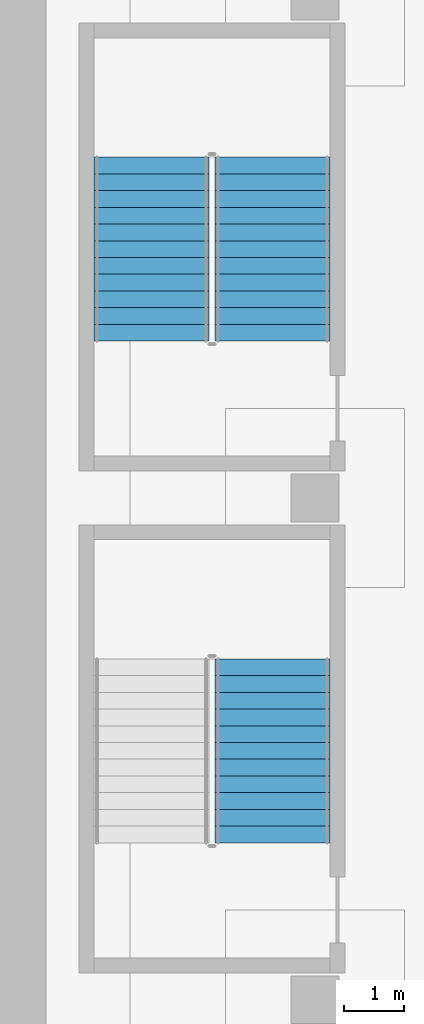
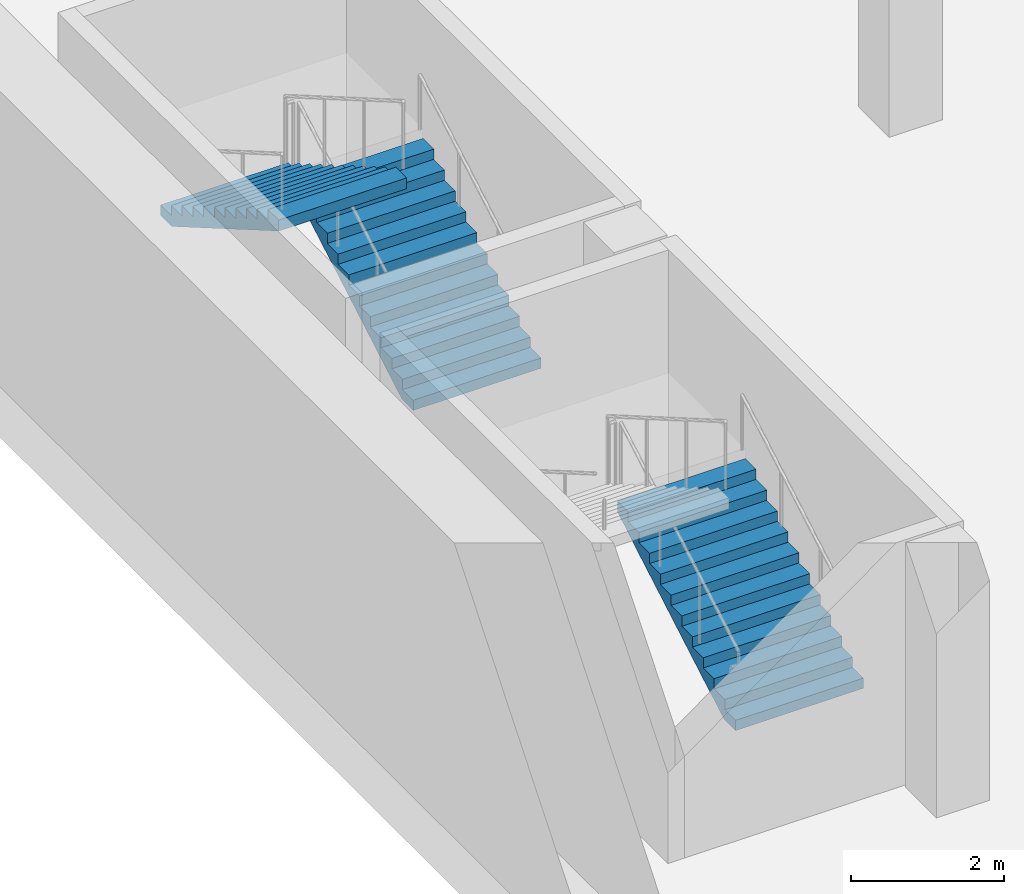
# One storey, part 17 of 27: 3 stair flights, 2 elements without a shape of their own.
"""IFC4 building model written with IfcOpenShell, lengths in metres."""

from ifc_helpers import new_model, si_unit, direction, frame, origin, place, context, subcontext, project, spatial, triangles, material, type_object, element, aggregate, save


model = new_model("IFC4")

# Units and contexts
model_context = context("Model", 3, precision=1e-05, world=origin(), true_north=direction((0.0, 1.0)))
body_context = subcontext(model_context, "Body", "Model", "MODEL_VIEW")
ifc_project = project(units=[si_unit("LENGTHUNIT", "METRE"), si_unit("AREAUNIT", "SQUARE_METRE"), si_unit("VOLUMEUNIT", "CUBIC_METRE"), si_unit("PLANEANGLEUNIT", "RADIAN"), si_unit("MASSUNIT", "GRAM", prefix="KILO")], contexts=[model_context])

# Site, building, storey
site_placement = place(None, origin())
site = spatial("IfcSite", under=ifc_project, at=site_placement, CompositionType="ELEMENT")
building_placement = place(site_placement, origin())
building = spatial("IfcBuilding", under=site, at=building_placement, Name="Verdalira Terraces Hotel", CompositionType="ELEMENT")
storey_placement = place(building_placement, frame((0.0, 0.0, -11.699951)))
storey = spatial("IfcBuildingStorey", under=building, at=storey_placement, Name="B3", CompositionType="ELEMENT", Elevation=-11.699951171875)

# Stair, stair flights
ifc_material_1 = material(Name="Concrete C40", Category="concrete")
stair_type = type_object("IfcStairType", Name="Car park stair 24 risers", PredefinedType="HALF_TURN_STAIR", material=ifc_material_1)
stair_1_placement = place(storey_placement, origin())
stair_1 = element("IfcStair", 1, at=stair_1_placement, inside=storey, type_object=stair_type, Name="B3 Exit stair Basement stair 4", PredefinedType="HALF_TURN_STAIR")
ifc_material_2 = material(Name="Concrete C40", Category="concrete")
stair_flight_type = type_object("IfcStairFlightType", Name="Car park stair flight 24 risers", PredefinedType="STRAIGHT", material=ifc_material_2)
stair_flight_1_placement = place(storey_placement, frame((-49.212402, 27.824951, 0.0), z_axis=(0.0, 0.0, 1.0), x_axis=(0.0, 1.0, 0.0)))
stair_flight_1 = element("IfcStairFlight", 2, at=stair_flight_1_placement, type_object=stair_flight_type, Name="Basement stair 4 flight 1", NumberOfRisers=12, NumberOfTreads=11, PredefinedType="STRAIGHT", RiserHeight=0.1625, TreadLength=0.28, context=body_context, shape_type="Tessellation", body=[
    triangles([(0.0, 0.962524, 0.0), (0.298584, 0.962524, 0.0), (3.080078, 0.962524, 1.614258), (0.0, -0.962524, 0.0), (0.298584, -0.962524, 0.0), (3.080078, -0.962524, 1.614258), (3.080078, 0.962524, 1.787598), (2.800049, 0.962524, 1.787598), (3.080078, -0.962524, 1.787598), (2.800049, -0.962524, 1.787598), (2.800049, 0.962524, 1.625), (2.800049, -0.962524, 1.625), (2.52002, 0.962524, 1.625), (2.52002, -0.962524, 1.625), (2.52002, 0.962524, 1.462402), (2.52002, -0.962524, 1.462402), (2.23999, 0.962524, 1.462402), (2.23999, 0.962524, 1.300049), (2.23999, -0.962524, 1.462402), (2.23999, -0.962524, 1.300049), (1.959961, 0.962524, 1.300049), (1.959961, 0.962524, 1.137451), (1.959961, -0.962524, 1.300049), (1.959961, -0.962524, 1.137451), (1.679932, 0.962524, 1.137451), (1.679932, 0.962524, 0.975098), (1.679932, -0.962524, 1.137451), (1.679932, -0.962524, 0.975098), (1.399902, 0.962524, 0.975098), (1.399902, 0.962524, 0.8125), (1.399902, -0.962524, 0.975098), (1.399902, -0.962524, 0.8125), (1.120117, 0.962524, 0.8125), (1.120117, 0.962524, 0.649902), (1.120117, -0.962524, 0.8125), (1.120117, -0.962524, 0.649902), (0.840088, 0.962524, 0.649902), (0.840088, 0.962524, 0.487549), (0.840088, -0.962524, 0.649902), (0.840088, -0.962524, 0.487549), (0.560059, 0.962524, 0.487549), (0.560059, 0.962524, 0.324951), (0.560059, -0.962524, 0.487549), (0.560059, -0.962524, 0.324951), (0.280029, 0.962524, 0.324951), (0.280029, 0.962524, 0.162598), (0.280029, -0.962524, 0.324951), (0.280029, -0.962524, 0.162598), (0.0, 0.962524, 0.162598), (0.0, -0.962524, 0.162598), (0.0, -0.902367, 0.0), (0.0, -0.902367, 0.162598), (0.0, -0.842209, 0.0), (0.0, -0.842209, 0.162598), (0.0, -0.782051, 0.0), (0.0, -0.782051, 0.162598), (0.0, -0.721893, 0.0), (0.0, -0.721893, 0.162598), (0.0, -0.661736, 0.0), (0.0, -0.661736, 0.162598), (0.0, -0.601578, 0.0), (0.0, -0.601578, 0.162598), (0.0, -0.54142, 0.0), (0.0, -0.54142, 0.162598), (0.0, -0.481262, 0.0), (0.0, -0.481262, 0.162598), (0.0, -0.421104, 0.0), (0.0, -0.421104, 0.162598), (0.0, -0.360947, 0.0), (0.0, -0.360947, 0.162598), (0.0, -0.300789, 0.0), (0.0, -0.300789, 0.162598), (0.0, -0.240631, 0.0), (0.0, -0.240631, 0.162598), (0.0, -0.180473, 0.0), (0.0, -0.180473, 0.162598), (0.0, -0.120316, 0.0), (0.0, -0.120316, 0.162598), (0.0, -0.060158, 0.0), (0.0, -0.060158, 0.162598), (0.0, 0.0, 0.0), (0.0, 0.0, 0.162598), (0.0, 0.060158, 0.0), (0.0, 0.060158, 0.162598), (0.0, 0.120316, 0.0), (0.0, 0.120316, 0.162598), (0.0, 0.180473, 0.0), (0.0, 0.180473, 0.162598), (0.0, 0.240631, 0.0), (0.0, 0.240631, 0.162598), (0.0, 0.300789, 0.0), (0.0, 0.300789, 0.162598), (0.0, 0.360947, 0.0), (0.0, 0.360947, 0.162598), (0.0, 0.421104, 0.0), (0.0, 0.421104, 0.162598), (0.0, 0.481262, 0.0), (0.0, 0.481262, 0.162598), (0.0, 0.54142, 0.0), (0.0, 0.54142, 0.162598), (0.0, 0.601578, 0.0), (0.0, 0.601578, 0.162598), (0.0, 0.661736, 0.0), (0.0, 0.661736, 0.162598), (0.0, 0.721893, 0.0), (0.0, 0.721893, 0.162598), (0.0, 0.782051, 0.0), (0.0, 0.782051, 0.162598), (0.0, 0.842209, 0.0), (0.0, 0.842209, 0.162598), (0.0, 0.902367, 0.0), (0.0, 0.902367, 0.162598), (3.080078, -0.902367, 1.787598), (3.080078, -0.842209, 1.787598), (3.080078, -0.782051, 1.787598), (3.080078, -0.721893, 1.787598), (3.080078, -0.661736, 1.787598), (3.080078, -0.601578, 1.787598), (3.080078, -0.54142, 1.787598), (3.080078, -0.481262, 1.787598), (3.080078, -0.421104, 1.787598), (3.080078, -0.360947, 1.787598), (3.080078, -0.300789, 1.787598), (3.080078, -0.240631, 1.787598), (3.080078, -0.180473, 1.787598), (3.080078, -0.120316, 1.787598), (3.080078, -0.060158, 1.787598), (3.080078, 0.0, 1.787598), (3.080078, 0.060158, 1.787598), (3.080078, 0.120316, 1.787598), (3.080078, 0.180473, 1.787598), (3.080078, 0.240631, 1.787598), (3.080078, 0.300789, 1.787598), (3.080078, 0.360947, 1.787598), (3.080078, 0.421104, 1.787598), (3.080078, 0.481262, 1.787598), (3.080078, 0.54142, 1.787598), (3.080078, 0.601578, 1.787598), (3.080078, 0.661736, 1.787598), (3.080078, 0.721893, 1.787598), (3.080078, 0.782051, 1.787598), (3.080078, 0.842209, 1.787598), (3.080078, 0.902367, 1.787598), (3.080078, -0.902367, 1.614258), (3.080078, -0.842209, 1.614258), (3.080078, -0.782051, 1.614258), (3.080078, -0.721893, 1.614258), (3.080078, -0.661736, 1.614258), (3.080078, -0.601578, 1.614258), (3.080078, -0.54142, 1.614258), (3.080078, -0.481262, 1.614258), (3.080078, -0.421104, 1.614258), (3.080078, -0.360947, 1.614258), (3.080078, -0.300789, 1.614258), (3.080078, -0.240631, 1.614258), (3.080078, -0.180473, 1.614258), (3.080078, -0.120316, 1.614258), (3.080078, -0.060158, 1.614258), (3.080078, 0.0, 1.614258), (3.080078, 0.060158, 1.614258), (3.080078, 0.120316, 1.614258), (3.080078, 0.180473, 1.614258), (3.080078, 0.240631, 1.614258), (3.080078, 0.300789, 1.614258), (3.080078, 0.360947, 1.614258), (3.080078, 0.421104, 1.614258), (3.080078, 0.481262, 1.614258), (3.080078, 0.54142, 1.614258), (3.080078, 0.601578, 1.614258), (3.080078, 0.661736, 1.614258), (3.080078, 0.721893, 1.614258), (3.080078, 0.782051, 1.614258), (3.080078, 0.842209, 1.614258), (3.080078, 0.902367, 1.614258)], [[1, 3, 2], [4, 5, 6], [3, 8, 7], [6, 9, 10], [3, 11, 8], [6, 10, 12], [3, 13, 11], [6, 12, 14], [3, 15, 13], [6, 14, 16], [15, 18, 17], [16, 19, 20], [3, 18, 15], [6, 16, 20], [18, 22, 21], [20, 23, 24], [3, 22, 18], [6, 20, 24], [22, 26, 25], [24, 27, 28], [3, 26, 22], [6, 24, 28], [26, 30, 29], [28, 31, 32], [3, 30, 26], [6, 28, 32], [30, 34, 33], [32, 35, 36], [3, 34, 30], [6, 32, 36], [34, 38, 37], [36, 39, 40], [3, 38, 34], [6, 36, 40], [38, 42, 41], [40, 43, 44], [3, 42, 38], [6, 40, 44], [1, 42, 3], [4, 6, 44], [42, 46, 45], [44, 47, 48], [1, 46, 42], [4, 44, 48], [46, 1, 49], [48, 50, 4], [4, 52, 51], [4, 50, 52], [51, 54, 53], [51, 52, 54], [53, 56, 55], [53, 54, 56], [55, 58, 57], [55, 56, 58], [57, 60, 59], [57, 58, 60], [59, 62, 61], [59, 60, 62], [61, 64, 63], [61, 62, 64], [63, 66, 65], [63, 64, 66], [65, 68, 67], [65, 66, 68], [67, 70, 69], [67, 68, 70], [69, 72, 71], [69, 70, 72], [71, 74, 73], [71, 72, 74], [73, 76, 75], [73, 74, 76], [75, 78, 77], [75, 76, 78], [77, 80, 79], [77, 78, 80], [79, 82, 81], [79, 80, 82], [81, 84, 83], [81, 82, 84], [83, 86, 85], [83, 84, 86], [85, 88, 87], [85, 86, 88], [87, 90, 89], [87, 88, 90], [89, 92, 91], [89, 90, 92], [91, 94, 93], [91, 92, 94], [93, 96, 95], [93, 94, 96], [95, 98, 97], [95, 96, 98], [97, 100, 99], [97, 98, 100], [99, 102, 101], [99, 100, 102], [101, 104, 103], [101, 102, 104], [103, 106, 105], [103, 104, 106], [105, 108, 107], [105, 106, 108], [107, 110, 109], [107, 108, 110], [109, 112, 111], [109, 110, 112], [111, 49, 1], [111, 112, 49], [50, 48, 52], [52, 48, 54], [54, 48, 56], [56, 48, 58], [58, 48, 60], [60, 48, 62], [62, 48, 64], [64, 48, 66], [66, 48, 68], [68, 48, 70], [70, 48, 72], [72, 48, 74], [74, 48, 76], [76, 48, 78], [78, 48, 80], [80, 48, 82], [82, 48, 84], [84, 48, 86], [86, 48, 88], [88, 48, 90], [90, 48, 92], [92, 48, 94], [94, 48, 96], [96, 48, 98], [98, 48, 100], [100, 48, 102], [102, 48, 104], [104, 48, 106], [106, 48, 108], [108, 48, 110], [110, 48, 112], [112, 48, 49], [49, 48, 46], [48, 45, 46], [48, 47, 45], [47, 42, 45], [47, 44, 42], [44, 41, 42], [44, 43, 41], [43, 38, 41], [43, 40, 38], [40, 37, 38], [40, 39, 37], [39, 34, 37], [39, 36, 34], [36, 33, 34], [36, 35, 33], [35, 30, 33], [35, 32, 30], [32, 29, 30], [32, 31, 29], [31, 26, 29], [31, 28, 26], [28, 25, 26], [28, 27, 25], [27, 22, 25], [27, 24, 22], [24, 21, 22], [24, 23, 21], [23, 18, 21], [23, 20, 18], [20, 17, 18], [20, 19, 17], [19, 15, 17], [19, 16, 15], [16, 13, 15], [16, 14, 13], [14, 11, 13], [14, 12, 11], [12, 8, 11], [12, 10, 8], [9, 113, 10], [113, 114, 10], [114, 115, 10], [115, 116, 10], [116, 117, 10], [117, 118, 10], [118, 119, 10], [119, 120, 10], [120, 121, 10], [121, 122, 10], [122, 123, 10], [123, 124, 10], [124, 125, 10], [125, 126, 10], [126, 127, 10], [127, 128, 10], [128, 129, 10], [129, 130, 10], [130, 131, 10], [131, 132, 10], [132, 133, 10], [133, 134, 10], [134, 135, 10], [135, 136, 10], [136, 137, 10], [137, 138, 10], [138, 139, 10], [139, 140, 10], [140, 141, 10], [141, 142, 10], [142, 143, 10], [143, 7, 10], [7, 8, 10], [9, 144, 113], [9, 6, 144], [113, 145, 114], [113, 144, 145], [114, 146, 115], [114, 145, 146], [115, 147, 116], [115, 146, 147], [116, 148, 117], [116, 147, 148], [117, 149, 118], [117, 148, 149], [118, 150, 119], [118, 149, 150], [119, 151, 120], [119, 150, 151], [120, 152, 121], [120, 151, 152], [121, 153, 122], [121, 152, 153], [122, 154, 123], [122, 153, 154], [123, 155, 124], [123, 154, 155], [124, 156, 125], [124, 155, 156], [125, 157, 126], [125, 156, 157], [126, 158, 127], [126, 157, 158], [127, 159, 128], [127, 158, 159], [128, 160, 129], [128, 159, 160], [129, 161, 130], [129, 160, 161], [130, 162, 131], [130, 161, 162], [131, 163, 132], [131, 162, 163], [132, 164, 133], [132, 163, 164], [133, 165, 134], [133, 164, 165], [134, 166, 135], [134, 165, 166], [135, 167, 136], [135, 166, 167], [136, 168, 137], [136, 167, 168], [137, 169, 138], [137, 168, 169], [138, 170, 139], [138, 169, 170], [139, 171, 140], [139, 170, 171], [140, 172, 141], [140, 171, 172], [141, 173, 142], [141, 172, 173], [142, 174, 143], [142, 173, 174], [143, 3, 7], [143, 174, 3], [6, 5, 144], [144, 5, 145], [145, 5, 146], [146, 5, 147], [147, 5, 148], [148, 5, 149], [149, 5, 150], [150, 5, 151], [151, 5, 152], [152, 5, 153], [153, 5, 154], [154, 5, 155], [155, 5, 156], [156, 5, 157], [157, 5, 158], [158, 5, 159], [159, 5, 160], [160, 5, 161], [161, 5, 162], [162, 5, 163], [163, 5, 164], [164, 5, 165], [165, 5, 166], [166, 5, 167], [167, 5, 168], [168, 5, 169], [169, 5, 170], [170, 5, 171], [171, 5, 172], [172, 5, 173], [173, 5, 174], [174, 5, 3], [3, 5, 2], [4, 51, 5], [51, 53, 5], [53, 55, 5], [55, 57, 5], [57, 59, 5], [59, 61, 5], [61, 63, 5], [63, 65, 5], [65, 67, 5], [67, 69, 5], [69, 71, 5], [71, 73, 5], [73, 75, 5], [75, 77, 5], [77, 79, 5], [79, 81, 5], [81, 83, 5], [83, 85, 5], [85, 87, 5], [87, 89, 5], [89, 91, 5], [91, 93, 5], [93, 95, 5], [95, 97, 5], [97, 99, 5], [99, 101, 5], [101, 103, 5], [103, 105, 5], [105, 107, 5], [107, 109, 5], [109, 111, 5], [111, 1, 5], [1, 2, 5]], closed=True),
])
stair_flight_2_placement = place(storey_placement, frame((-51.237549, 30.905029, 1.949951), z_axis=(0.0, 0.0, 1.0), x_axis=(0.0, -1.0, 0.0)))
stair_flight_2 = element("IfcStairFlight", 3, at=stair_flight_2_placement, type_object=stair_flight_type, Name="Basement stair 4 flight 2", NumberOfRisers=12, NumberOfTreads=11, PredefinedType="STRAIGHT", RiserHeight=0.1625, TreadLength=0.28, context=body_context, shape_type="Tessellation", body=[
    triangles([(0.0, 0.962524, 0.0), (0.298584, 0.962524, 0.0), (3.080078, 0.962524, 1.614258), (0.0, -0.962524, 0.0), (0.298584, -0.962524, 0.0), (3.080078, -0.962524, 1.614258), (3.080078, 0.962524, 1.787598), (2.800049, 0.962524, 1.787598), (3.080078, -0.962524, 1.787598), (2.800049, -0.962524, 1.787598), (2.800049, 0.962524, 1.625), (2.800049, -0.962524, 1.625), (2.52002, 0.962524, 1.625), (2.52002, -0.962524, 1.625), (2.52002, 0.962524, 1.462402), (2.52002, -0.962524, 1.462402), (2.23999, 0.962524, 1.462402), (2.23999, 0.962524, 1.300049), (2.23999, -0.962524, 1.462402), (2.23999, -0.962524, 1.300049), (1.959961, 0.962524, 1.300049), (1.959961, 0.962524, 1.137451), (1.959961, -0.962524, 1.300049), (1.959961, -0.962524, 1.137451), (1.679932, 0.962524, 1.137451), (1.679932, 0.962524, 0.975098), (1.679932, -0.962524, 1.137451), (1.679932, -0.962524, 0.975098), (1.399902, 0.962524, 0.975098), (1.399902, 0.962524, 0.8125), (1.399902, -0.962524, 0.975098), (1.399902, -0.962524, 0.8125), (1.120117, 0.962524, 0.8125), (1.120117, 0.962524, 0.649902), (1.120117, -0.962524, 0.8125), (1.120117, -0.962524, 0.649902), (0.840088, 0.962524, 0.649902), (0.840088, 0.962524, 0.487549), (0.840088, -0.962524, 0.649902), (0.840088, -0.962524, 0.487549), (0.560059, 0.962524, 0.487549), (0.560059, 0.962524, 0.324951), (0.560059, -0.962524, 0.487549), (0.560059, -0.962524, 0.324951), (0.280029, 0.962524, 0.324951), (0.280029, 0.962524, 0.162598), (0.280029, -0.962524, 0.324951), (0.280029, -0.962524, 0.162598), (0.0, 0.962524, 0.162598), (0.0, -0.962524, 0.162598), (0.0, -0.902367, 0.0), (0.0, -0.902367, 0.162598), (0.0, -0.842209, 0.0), (0.0, -0.842209, 0.162598), (0.0, -0.782051, 0.0), (0.0, -0.782051, 0.162598), (0.0, -0.721893, 0.0), (0.0, -0.721893, 0.162598), (0.0, -0.661736, 0.0), (0.0, -0.661736, 0.162598), (0.0, -0.601578, 0.0), (0.0, -0.601578, 0.162598), (0.0, -0.54142, 0.0), (0.0, -0.54142, 0.162598), (0.0, -0.481262, 0.0), (0.0, -0.481262, 0.162598), (0.0, -0.421104, 0.0), (0.0, -0.421104, 0.162598), (0.0, -0.360947, 0.0), (0.0, -0.360947, 0.162598), (0.0, -0.300789, 0.0), (0.0, -0.300789, 0.162598), (0.0, -0.240631, 0.0), (0.0, -0.240631, 0.162598), (0.0, -0.180473, 0.0), (0.0, -0.180473, 0.162598), (0.0, -0.120316, 0.0), (0.0, -0.120316, 0.162598), (0.0, -0.060158, 0.0), (0.0, -0.060158, 0.162598), (0.0, 0.0, 0.0), (0.0, 0.0, 0.162598), (0.0, 0.060158, 0.0), (0.0, 0.060158, 0.162598), (0.0, 0.120316, 0.0), (0.0, 0.120316, 0.162598), (0.0, 0.180473, 0.0), (0.0, 0.180473, 0.162598), (0.0, 0.240631, 0.0), (0.0, 0.240631, 0.162598), (0.0, 0.300789, 0.0), (0.0, 0.300789, 0.162598), (0.0, 0.360947, 0.0), (0.0, 0.360947, 0.162598), (0.0, 0.421104, 0.0), (0.0, 0.421104, 0.162598), (0.0, 0.481262, 0.0), (0.0, 0.481262, 0.162598), (0.0, 0.54142, 0.0), (0.0, 0.54142, 0.162598), (0.0, 0.601578, 0.0), (0.0, 0.601578, 0.162598), (0.0, 0.661736, 0.0), (0.0, 0.661736, 0.162598), (0.0, 0.721893, 0.0), (0.0, 0.721893, 0.162598), (0.0, 0.782051, 0.0), (0.0, 0.782051, 0.162598), (0.0, 0.842209, 0.0), (0.0, 0.842209, 0.162598), (0.0, 0.902367, 0.0), (0.0, 0.902367, 0.162598), (3.080078, -0.902367, 1.787598), (3.080078, -0.842209, 1.787598), (3.080078, -0.782051, 1.787598), (3.080078, -0.721893, 1.787598), (3.080078, -0.661736, 1.787598), (3.080078, -0.601578, 1.787598), (3.080078, -0.54142, 1.787598), (3.080078, -0.481262, 1.787598), (3.080078, -0.421104, 1.787598), (3.080078, -0.360947, 1.787598), (3.080078, -0.300789, 1.787598), (3.080078, -0.240631, 1.787598), (3.080078, -0.180473, 1.787598), (3.080078, -0.120316, 1.787598), (3.080078, -0.060158, 1.787598), (3.080078, 0.0, 1.787598), (3.080078, 0.060158, 1.787598), (3.080078, 0.120316, 1.787598), (3.080078, 0.180473, 1.787598), (3.080078, 0.240631, 1.787598), (3.080078, 0.300789, 1.787598), (3.080078, 0.360947, 1.787598), (3.080078, 0.421104, 1.787598), (3.080078, 0.481262, 1.787598), (3.080078, 0.54142, 1.787598), (3.080078, 0.601578, 1.787598), (3.080078, 0.661736, 1.787598), (3.080078, 0.721893, 1.787598), (3.080078, 0.782051, 1.787598), (3.080078, 0.842209, 1.787598), (3.080078, 0.902367, 1.787598), (3.080078, -0.902367, 1.614258), (3.080078, -0.842209, 1.614258), (3.080078, -0.782051, 1.614258), (3.080078, -0.721893, 1.614258), (3.080078, -0.661736, 1.614258), (3.080078, -0.601578, 1.614258), (3.080078, -0.54142, 1.614258), (3.080078, -0.481262, 1.614258), (3.080078, -0.421104, 1.614258), (3.080078, -0.360947, 1.614258), (3.080078, -0.300789, 1.614258), (3.080078, -0.240631, 1.614258), (3.080078, -0.180473, 1.614258), (3.080078, -0.120316, 1.614258), (3.080078, -0.060158, 1.614258), (3.080078, 0.0, 1.614258), (3.080078, 0.060158, 1.614258), (3.080078, 0.120316, 1.614258), (3.080078, 0.180473, 1.614258), (3.080078, 0.240631, 1.614258), (3.080078, 0.300789, 1.614258), (3.080078, 0.360947, 1.614258), (3.080078, 0.421104, 1.614258), (3.080078, 0.481262, 1.614258), (3.080078, 0.54142, 1.614258), (3.080078, 0.601578, 1.614258), (3.080078, 0.661736, 1.614258), (3.080078, 0.721893, 1.614258), (3.080078, 0.782051, 1.614258), (3.080078, 0.842209, 1.614258), (3.080078, 0.902367, 1.614258)], [[1, 3, 2], [4, 5, 6], [3, 8, 7], [6, 9, 10], [3, 11, 8], [6, 10, 12], [3, 13, 11], [6, 12, 14], [3, 15, 13], [6, 14, 16], [15, 18, 17], [16, 19, 20], [3, 18, 15], [6, 16, 20], [18, 22, 21], [20, 23, 24], [3, 22, 18], [6, 20, 24], [22, 26, 25], [24, 27, 28], [3, 26, 22], [6, 24, 28], [26, 30, 29], [28, 31, 32], [3, 30, 26], [6, 28, 32], [30, 34, 33], [32, 35, 36], [3, 34, 30], [6, 32, 36], [34, 38, 37], [36, 39, 40], [3, 38, 34], [6, 36, 40], [38, 42, 41], [40, 43, 44], [3, 42, 38], [6, 40, 44], [1, 42, 3], [4, 6, 44], [42, 46, 45], [44, 47, 48], [1, 46, 42], [4, 44, 48], [46, 1, 49], [48, 50, 4], [4, 52, 51], [4, 50, 52], [51, 54, 53], [51, 52, 54], [53, 56, 55], [53, 54, 56], [55, 58, 57], [55, 56, 58], [57, 60, 59], [57, 58, 60], [59, 62, 61], [59, 60, 62], [61, 64, 63], [61, 62, 64], [63, 66, 65], [63, 64, 66], [65, 68, 67], [65, 66, 68], [67, 70, 69], [67, 68, 70], [69, 72, 71], [69, 70, 72], [71, 74, 73], [71, 72, 74], [73, 76, 75], [73, 74, 76], [75, 78, 77], [75, 76, 78], [77, 80, 79], [77, 78, 80], [79, 82, 81], [79, 80, 82], [81, 84, 83], [81, 82, 84], [83, 86, 85], [83, 84, 86], [85, 88, 87], [85, 86, 88], [87, 90, 89], [87, 88, 90], [89, 92, 91], [89, 90, 92], [91, 94, 93], [91, 92, 94], [93, 96, 95], [93, 94, 96], [95, 98, 97], [95, 96, 98], [97, 100, 99], [97, 98, 100], [99, 102, 101], [99, 100, 102], [101, 104, 103], [101, 102, 104], [103, 106, 105], [103, 104, 106], [105, 108, 107], [105, 106, 108], [107, 110, 109], [107, 108, 110], [109, 112, 111], [109, 110, 112], [111, 49, 1], [111, 112, 49], [50, 48, 52], [52, 48, 54], [54, 48, 56], [56, 48, 58], [58, 48, 60], [60, 48, 62], [62, 48, 64], [64, 48, 66], [66, 48, 68], [68, 48, 70], [70, 48, 72], [72, 48, 74], [74, 48, 76], [76, 48, 78], [78, 48, 80], [80, 48, 82], [82, 48, 84], [84, 48, 86], [86, 48, 88], [88, 48, 90], [90, 48, 92], [92, 48, 94], [94, 48, 96], [96, 48, 98], [98, 48, 100], [100, 48, 102], [102, 48, 104], [104, 48, 106], [106, 48, 108], [108, 48, 110], [110, 48, 112], [112, 48, 49], [49, 48, 46], [48, 45, 46], [48, 47, 45], [47, 42, 45], [47, 44, 42], [44, 41, 42], [44, 43, 41], [43, 38, 41], [43, 40, 38], [40, 37, 38], [40, 39, 37], [39, 34, 37], [39, 36, 34], [36, 33, 34], [36, 35, 33], [35, 30, 33], [35, 32, 30], [32, 29, 30], [32, 31, 29], [31, 26, 29], [31, 28, 26], [28, 25, 26], [28, 27, 25], [27, 22, 25], [27, 24, 22], [24, 21, 22], [24, 23, 21], [23, 18, 21], [23, 20, 18], [20, 17, 18], [20, 19, 17], [19, 15, 17], [19, 16, 15], [16, 13, 15], [16, 14, 13], [14, 11, 13], [14, 12, 11], [12, 8, 11], [12, 10, 8], [9, 113, 10], [113, 114, 10], [114, 115, 10], [115, 116, 10], [116, 117, 10], [117, 118, 10], [118, 119, 10], [119, 120, 10], [120, 121, 10], [121, 122, 10], [122, 123, 10], [123, 124, 10], [124, 125, 10], [125, 126, 10], [126, 127, 10], [127, 128, 10], [128, 129, 10], [129, 130, 10], [130, 131, 10], [131, 132, 10], [132, 133, 10], [133, 134, 10], [134, 135, 10], [135, 136, 10], [136, 137, 10], [137, 138, 10], [138, 139, 10], [139, 140, 10], [140, 141, 10], [141, 142, 10], [142, 143, 10], [143, 7, 10], [7, 8, 10], [9, 144, 113], [9, 6, 144], [113, 145, 114], [113, 144, 145], [114, 146, 115], [114, 145, 146], [115, 147, 116], [115, 146, 147], [116, 148, 117], [116, 147, 148], [117, 149, 118], [117, 148, 149], [118, 150, 119], [118, 149, 150], [119, 151, 120], [119, 150, 151], [120, 152, 121], [120, 151, 152], [121, 153, 122], [121, 152, 153], [122, 154, 123], [122, 153, 154], [123, 155, 124], [123, 154, 155], [124, 156, 125], [124, 155, 156], [125, 157, 126], [125, 156, 157], [126, 158, 127], [126, 157, 158], [127, 159, 128], [127, 158, 159], [128, 160, 129], [128, 159, 160], [129, 161, 130], [129, 160, 161], [130, 162, 131], [130, 161, 162], [131, 163, 132], [131, 162, 163], [132, 164, 133], [132, 163, 164], [133, 165, 134], [133, 164, 165], [134, 166, 135], [134, 165, 166], [135, 167, 136], [135, 166, 167], [136, 168, 137], [136, 167, 168], [137, 169, 138], [137, 168, 169], [138, 170, 139], [138, 169, 170], [139, 171, 140], [139, 170, 171], [140, 172, 141], [140, 171, 172], [141, 173, 142], [141, 172, 173], [142, 174, 143], [142, 173, 174], [143, 3, 7], [143, 174, 3], [6, 5, 144], [144, 5, 145], [145, 5, 146], [146, 5, 147], [147, 5, 148], [148, 5, 149], [149, 5, 150], [150, 5, 151], [151, 5, 152], [152, 5, 153], [153, 5, 154], [154, 5, 155], [155, 5, 156], [156, 5, 157], [157, 5, 158], [158, 5, 159], [159, 5, 160], [160, 5, 161], [161, 5, 162], [162, 5, 163], [163, 5, 164], [164, 5, 165], [165, 5, 166], [166, 5, 167], [167, 5, 168], [168, 5, 169], [169, 5, 170], [170, 5, 171], [171, 5, 172], [172, 5, 173], [173, 5, 174], [174, 5, 3], [3, 5, 2], [4, 51, 5], [51, 53, 5], [53, 55, 5], [55, 57, 5], [57, 59, 5], [59, 61, 5], [61, 63, 5], [63, 65, 5], [65, 67, 5], [67, 69, 5], [69, 71, 5], [71, 73, 5], [73, 75, 5], [75, 77, 5], [77, 79, 5], [79, 81, 5], [81, 83, 5], [83, 85, 5], [85, 87, 5], [87, 89, 5], [89, 91, 5], [91, 93, 5], [93, 95, 5], [95, 97, 5], [97, 99, 5], [99, 101, 5], [101, 103, 5], [103, 105, 5], [105, 107, 5], [107, 109, 5], [109, 111, 5], [111, 1, 5], [1, 2, 5]], closed=True),
])
aggregate(stair_1, [stair_flight_1, stair_flight_2])

# Stair, stair flight
stair_2_placement = place(storey_placement, origin())
stair_2 = element("IfcStair", 4, at=stair_2_placement, inside=storey, type_object=stair_type, Name="B3 Exit stair Basement stair 7", PredefinedType="HALF_TURN_STAIR")
stair_flight_3_placement = place(storey_placement, frame((-49.212402, 19.425049, 0.0), z_axis=(0.0, 0.0, 1.0), x_axis=(0.0, 1.0, 0.0)))
stair_flight_3 = element("IfcStairFlight", 5, at=stair_flight_3_placement, type_object=stair_flight_type, Name="Basement stair 7 flight 1", NumberOfRisers=12, NumberOfTreads=11, PredefinedType="STRAIGHT", RiserHeight=0.1625, TreadLength=0.28, context=body_context, shape_type="Tessellation", body=[
    triangles([(0.0, 0.962524, 0.0), (0.298584, 0.962524, 0.0), (3.080078, 0.962524, 1.614258), (0.0, -0.962524, 0.0), (0.298584, -0.962524, 0.0), (3.080078, -0.962524, 1.614258), (3.080078, 0.962524, 1.787598), (2.800049, 0.962524, 1.787598), (3.080078, -0.962524, 1.787598), (2.800049, -0.962524, 1.787598), (2.800049, 0.962524, 1.625), (2.800049, -0.962524, 1.625), (2.52002, 0.962524, 1.625), (2.52002, -0.962524, 1.625), (2.52002, 0.962524, 1.462402), (2.52002, -0.962524, 1.462402), (2.23999, 0.962524, 1.462402), (2.23999, 0.962524, 1.300049), (2.23999, -0.962524, 1.462402), (2.23999, -0.962524, 1.300049), (1.959961, 0.962524, 1.300049), (1.959961, 0.962524, 1.137451), (1.959961, -0.962524, 1.300049), (1.959961, -0.962524, 1.137451), (1.679932, 0.962524, 1.137451), (1.679932, 0.962524, 0.975098), (1.679932, -0.962524, 1.137451), (1.679932, -0.962524, 0.975098), (1.399902, 0.962524, 0.975098), (1.399902, 0.962524, 0.8125), (1.399902, -0.962524, 0.975098), (1.399902, -0.962524, 0.8125), (1.120117, 0.962524, 0.8125), (1.120117, 0.962524, 0.649902), (1.120117, -0.962524, 0.8125), (1.120117, -0.962524, 0.649902), (0.840088, 0.962524, 0.649902), (0.840088, 0.962524, 0.487549), (0.840088, -0.962524, 0.649902), (0.840088, -0.962524, 0.487549), (0.560059, 0.962524, 0.487549), (0.560059, 0.962524, 0.324951), (0.560059, -0.962524, 0.487549), (0.560059, -0.962524, 0.324951), (0.280029, 0.962524, 0.324951), (0.280029, 0.962524, 0.162598), (0.280029, -0.962524, 0.324951), (0.280029, -0.962524, 0.162598), (0.0, 0.962524, 0.162598), (0.0, -0.962524, 0.162598), (0.0, -0.902367, 0.0), (0.0, -0.902367, 0.162598), (0.0, -0.842209, 0.0), (0.0, -0.842209, 0.162598), (0.0, -0.782051, 0.0), (0.0, -0.782051, 0.162598), (0.0, -0.721893, 0.0), (0.0, -0.721893, 0.162598), (0.0, -0.661736, 0.0), (0.0, -0.661736, 0.162598), (0.0, -0.601578, 0.0), (0.0, -0.601578, 0.162598), (0.0, -0.54142, 0.0), (0.0, -0.54142, 0.162598), (0.0, -0.481262, 0.0), (0.0, -0.481262, 0.162598), (0.0, -0.421104, 0.0), (0.0, -0.421104, 0.162598), (0.0, -0.360947, 0.0), (0.0, -0.360947, 0.162598), (0.0, -0.300789, 0.0), (0.0, -0.300789, 0.162598), (0.0, -0.240631, 0.0), (0.0, -0.240631, 0.162598), (0.0, -0.180473, 0.0), (0.0, -0.180473, 0.162598), (0.0, -0.120316, 0.0), (0.0, -0.120316, 0.162598), (0.0, -0.060158, 0.0), (0.0, -0.060158, 0.162598), (0.0, 0.0, 0.0), (0.0, 0.0, 0.162598), (0.0, 0.060158, 0.0), (0.0, 0.060158, 0.162598), (0.0, 0.120316, 0.0), (0.0, 0.120316, 0.162598), (0.0, 0.180473, 0.0), (0.0, 0.180473, 0.162598), (0.0, 0.240631, 0.0), (0.0, 0.240631, 0.162598), (0.0, 0.300789, 0.0), (0.0, 0.300789, 0.162598), (0.0, 0.360947, 0.0), (0.0, 0.360947, 0.162598), (0.0, 0.421104, 0.0), (0.0, 0.421104, 0.162598), (0.0, 0.481262, 0.0), (0.0, 0.481262, 0.162598), (0.0, 0.54142, 0.0), (0.0, 0.54142, 0.162598), (0.0, 0.601578, 0.0), (0.0, 0.601578, 0.162598), (0.0, 0.661736, 0.0), (0.0, 0.661736, 0.162598), (0.0, 0.721893, 0.0), (0.0, 0.721893, 0.162598), (0.0, 0.782051, 0.0), (0.0, 0.782051, 0.162598), (0.0, 0.842209, 0.0), (0.0, 0.842209, 0.162598), (0.0, 0.902367, 0.0), (0.0, 0.902367, 0.162598), (3.080078, -0.902367, 1.787598), (3.080078, -0.842209, 1.787598), (3.080078, -0.782051, 1.787598), (3.080078, -0.721893, 1.787598), (3.080078, -0.661736, 1.787598), (3.080078, -0.601578, 1.787598), (3.080078, -0.54142, 1.787598), (3.080078, -0.481262, 1.787598), (3.080078, -0.421104, 1.787598), (3.080078, -0.360947, 1.787598), (3.080078, -0.300789, 1.787598), (3.080078, -0.240631, 1.787598), (3.080078, -0.180473, 1.787598), (3.080078, -0.120316, 1.787598), (3.080078, -0.060158, 1.787598), (3.080078, 0.0, 1.787598), (3.080078, 0.060158, 1.787598), (3.080078, 0.120316, 1.787598), (3.080078, 0.180473, 1.787598), (3.080078, 0.240631, 1.787598), (3.080078, 0.300789, 1.787598), (3.080078, 0.360947, 1.787598), (3.080078, 0.421104, 1.787598), (3.080078, 0.481262, 1.787598), (3.080078, 0.54142, 1.787598), (3.080078, 0.601578, 1.787598), (3.080078, 0.661736, 1.787598), (3.080078, 0.721893, 1.787598), (3.080078, 0.782051, 1.787598), (3.080078, 0.842209, 1.787598), (3.080078, 0.902367, 1.787598), (3.080078, -0.902367, 1.614258), (3.080078, -0.842209, 1.614258), (3.080078, -0.782051, 1.614258), (3.080078, -0.721893, 1.614258), (3.080078, -0.661736, 1.614258), (3.080078, -0.601578, 1.614258), (3.080078, -0.54142, 1.614258), (3.080078, -0.481262, 1.614258), (3.080078, -0.421104, 1.614258), (3.080078, -0.360947, 1.614258), (3.080078, -0.300789, 1.614258), (3.080078, -0.240631, 1.614258), (3.080078, -0.180473, 1.614258), (3.080078, -0.120316, 1.614258), (3.080078, -0.060158, 1.614258), (3.080078, 0.0, 1.614258), (3.080078, 0.060158, 1.614258), (3.080078, 0.120316, 1.614258), (3.080078, 0.180473, 1.614258), (3.080078, 0.240631, 1.614258), (3.080078, 0.300789, 1.614258), (3.080078, 0.360947, 1.614258), (3.080078, 0.421104, 1.614258), (3.080078, 0.481262, 1.614258), (3.080078, 0.54142, 1.614258), (3.080078, 0.601578, 1.614258), (3.080078, 0.661736, 1.614258), (3.080078, 0.721893, 1.614258), (3.080078, 0.782051, 1.614258), (3.080078, 0.842209, 1.614258), (3.080078, 0.902367, 1.614258)], [[1, 3, 2], [4, 5, 6], [3, 8, 7], [6, 9, 10], [3, 11, 8], [6, 10, 12], [3, 13, 11], [6, 12, 14], [3, 15, 13], [6, 14, 16], [15, 18, 17], [16, 19, 20], [3, 18, 15], [6, 16, 20], [18, 22, 21], [20, 23, 24], [3, 22, 18], [6, 20, 24], [22, 26, 25], [24, 27, 28], [3, 26, 22], [6, 24, 28], [26, 30, 29], [28, 31, 32], [3, 30, 26], [6, 28, 32], [30, 34, 33], [32, 35, 36], [3, 34, 30], [6, 32, 36], [34, 38, 37], [36, 39, 40], [3, 38, 34], [6, 36, 40], [38, 42, 41], [40, 43, 44], [3, 42, 38], [6, 40, 44], [1, 42, 3], [4, 6, 44], [42, 46, 45], [44, 47, 48], [1, 46, 42], [4, 44, 48], [46, 1, 49], [48, 50, 4], [4, 52, 51], [4, 50, 52], [51, 54, 53], [51, 52, 54], [53, 56, 55], [53, 54, 56], [55, 58, 57], [55, 56, 58], [57, 60, 59], [57, 58, 60], [59, 62, 61], [59, 60, 62], [61, 64, 63], [61, 62, 64], [63, 66, 65], [63, 64, 66], [65, 68, 67], [65, 66, 68], [67, 70, 69], [67, 68, 70], [69, 72, 71], [69, 70, 72], [71, 74, 73], [71, 72, 74], [73, 76, 75], [73, 74, 76], [75, 78, 77], [75, 76, 78], [77, 80, 79], [77, 78, 80], [79, 82, 81], [79, 80, 82], [81, 84, 83], [81, 82, 84], [83, 86, 85], [83, 84, 86], [85, 88, 87], [85, 86, 88], [87, 90, 89], [87, 88, 90], [89, 92, 91], [89, 90, 92], [91, 94, 93], [91, 92, 94], [93, 96, 95], [93, 94, 96], [95, 98, 97], [95, 96, 98], [97, 100, 99], [97, 98, 100], [99, 102, 101], [99, 100, 102], [101, 104, 103], [101, 102, 104], [103, 106, 105], [103, 104, 106], [105, 108, 107], [105, 106, 108], [107, 110, 109], [107, 108, 110], [109, 112, 111], [109, 110, 112], [111, 49, 1], [111, 112, 49], [50, 48, 52], [52, 48, 54], [54, 48, 56], [56, 48, 58], [58, 48, 60], [60, 48, 62], [62, 48, 64], [64, 48, 66], [66, 48, 68], [68, 48, 70], [70, 48, 72], [72, 48, 74], [74, 48, 76], [76, 48, 78], [78, 48, 80], [80, 48, 82], [82, 48, 84], [84, 48, 86], [86, 48, 88], [88, 48, 90], [90, 48, 92], [92, 48, 94], [94, 48, 96], [96, 48, 98], [98, 48, 100], [100, 48, 102], [102, 48, 104], [104, 48, 106], [106, 48, 108], [108, 48, 110], [110, 48, 112], [112, 48, 49], [49, 48, 46], [48, 45, 46], [48, 47, 45], [47, 42, 45], [47, 44, 42], [44, 41, 42], [44, 43, 41], [43, 38, 41], [43, 40, 38], [40, 37, 38], [40, 39, 37], [39, 34, 37], [39, 36, 34], [36, 33, 34], [36, 35, 33], [35, 30, 33], [35, 32, 30], [32, 29, 30], [32, 31, 29], [31, 26, 29], [31, 28, 26], [28, 25, 26], [28, 27, 25], [27, 22, 25], [27, 24, 22], [24, 21, 22], [24, 23, 21], [23, 18, 21], [23, 20, 18], [20, 17, 18], [20, 19, 17], [19, 15, 17], [19, 16, 15], [16, 13, 15], [16, 14, 13], [14, 11, 13], [14, 12, 11], [12, 8, 11], [12, 10, 8], [9, 113, 10], [113, 114, 10], [114, 115, 10], [115, 116, 10], [116, 117, 10], [117, 118, 10], [118, 119, 10], [119, 120, 10], [120, 121, 10], [121, 122, 10], [122, 123, 10], [123, 124, 10], [124, 125, 10], [125, 126, 10], [126, 127, 10], [127, 128, 10], [128, 129, 10], [129, 130, 10], [130, 131, 10], [131, 132, 10], [132, 133, 10], [133, 134, 10], [134, 135, 10], [135, 136, 10], [136, 137, 10], [137, 138, 10], [138, 139, 10], [139, 140, 10], [140, 141, 10], [141, 142, 10], [142, 143, 10], [143, 7, 10], [7, 8, 10], [9, 144, 113], [9, 6, 144], [113, 145, 114], [113, 144, 145], [114, 146, 115], [114, 145, 146], [115, 147, 116], [115, 146, 147], [116, 148, 117], [116, 147, 148], [117, 149, 118], [117, 148, 149], [118, 150, 119], [118, 149, 150], [119, 151, 120], [119, 150, 151], [120, 152, 121], [120, 151, 152], [121, 153, 122], [121, 152, 153], [122, 154, 123], [122, 153, 154], [123, 155, 124], [123, 154, 155], [124, 156, 125], [124, 155, 156], [125, 157, 126], [125, 156, 157], [126, 158, 127], [126, 157, 158], [127, 159, 128], [127, 158, 159], [128, 160, 129], [128, 159, 160], [129, 161, 130], [129, 160, 161], [130, 162, 131], [130, 161, 162], [131, 163, 132], [131, 162, 163], [132, 164, 133], [132, 163, 164], [133, 165, 134], [133, 164, 165], [134, 166, 135], [134, 165, 166], [135, 167, 136], [135, 166, 167], [136, 168, 137], [136, 167, 168], [137, 169, 138], [137, 168, 169], [138, 170, 139], [138, 169, 170], [139, 171, 140], [139, 170, 171], [140, 172, 141], [140, 171, 172], [141, 173, 142], [141, 172, 173], [142, 174, 143], [142, 173, 174], [143, 3, 7], [143, 174, 3], [6, 5, 144], [144, 5, 145], [145, 5, 146], [146, 5, 147], [147, 5, 148], [148, 5, 149], [149, 5, 150], [150, 5, 151], [151, 5, 152], [152, 5, 153], [153, 5, 154], [154, 5, 155], [155, 5, 156], [156, 5, 157], [157, 5, 158], [158, 5, 159], [159, 5, 160], [160, 5, 161], [161, 5, 162], [162, 5, 163], [163, 5, 164], [164, 5, 165], [165, 5, 166], [166, 5, 167], [167, 5, 168], [168, 5, 169], [169, 5, 170], [170, 5, 171], [171, 5, 172], [172, 5, 173], [173, 5, 174], [174, 5, 3], [3, 5, 2], [4, 51, 5], [51, 53, 5], [53, 55, 5], [55, 57, 5], [57, 59, 5], [59, 61, 5], [61, 63, 5], [63, 65, 5], [65, 67, 5], [67, 69, 5], [69, 71, 5], [71, 73, 5], [73, 75, 5], [75, 77, 5], [77, 79, 5], [79, 81, 5], [81, 83, 5], [83, 85, 5], [85, 87, 5], [87, 89, 5], [89, 91, 5], [91, 93, 5], [93, 95, 5], [95, 97, 5], [97, 99, 5], [99, 101, 5], [101, 103, 5], [103, 105, 5], [105, 107, 5], [107, 109, 5], [109, 111, 5], [111, 1, 5], [1, 2, 5]], closed=True),
])
aggregate(stair_2, [stair_flight_3])

save(model, "model.ifc")
